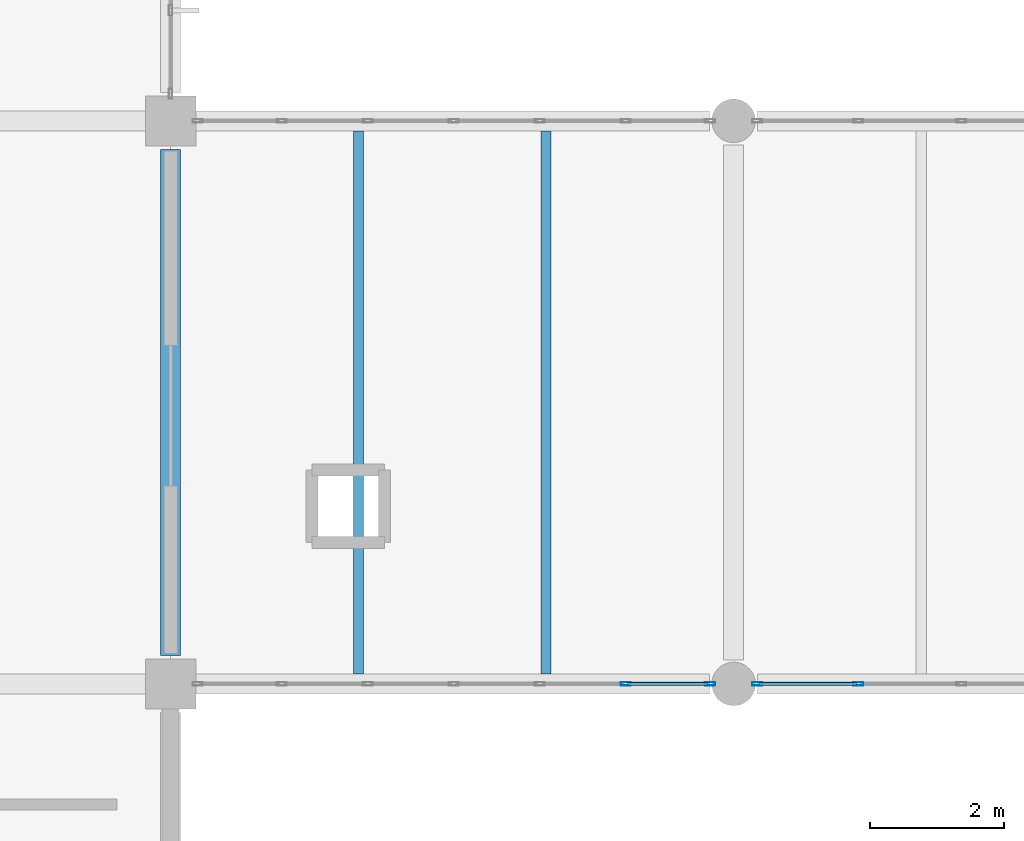
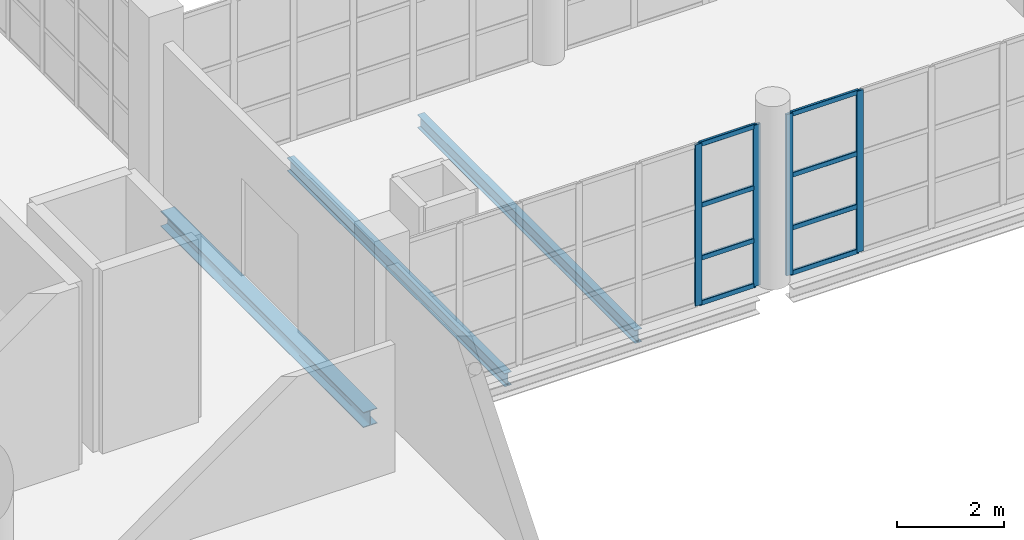
# One storey, part 64 of 177: 12 members, 3 beams, 2 elements without a shape of their own.
"""IFC4 building model written with IfcOpenShell, lengths in metres."""

import ifcopenshell
import ifcopenshell.guid

model = None  # the IFC model being written
_history = None  # IfcOwnerHistory: only IFC2X3 demands one
_inside = {}  # id of a spatial element -> (the spatial element, [elements in it])
_under = {}  # id of a project, library or spatial element -> (it, [spatial elements below it])
_declared = {}  # id of a project -> (the project, [libraries it declares])
_typed = {}  # id of a type object -> (the type object, [elements of that type])
_made_of = {}  # id of a material, layer set ... -> (it, [elements and type objects made of it])


def new_model(schema):
    """Start an empty IFC model of exactly this schema.

    Asked for "IFC4X3", IfcOpenShell would pick the latest addendum, in which some entities
    have other attributes; the version numbers below select the first issue.
    IFC2X3 requires an IfcOwnerHistory on every rooted entity: one is made here for all.
    """
    global model, _history
    if schema == "IFC4X3":
        model = ifcopenshell.file(schema_version=(4, 3, 0, 0))
    else:
        model = ifcopenshell.file(schema=schema)
    _inside.clear()
    _under.clear()
    _declared.clear()
    _typed.clear()
    _made_of.clear()
    _history = None
    if model.schema == "IFC2X3":
        org = make("IfcOrganization", Name="unknown")
        user = make(
            "IfcPersonAndOrganization",
            ThePerson=make("IfcPerson", FamilyName="unknown"),
            TheOrganization=org,
        )
        app = make(
            "IfcApplication",
            ApplicationDeveloper=org,
            Version="unknown",
            ApplicationFullName="unknown",
            ApplicationIdentifier="unknown",
        )
        _history = make(
            "IfcOwnerHistory",
            OwningUser=user,
            OwningApplication=app,
            ChangeAction="ADDED",
            CreationDate=0,
        )
    return model


def make(cls, **values):
    """One entity of the class cls with the attributes given. An attribute that is None is left unset."""
    return model.create_entity(
        cls, **{name: value for name, value in values.items() if value is not None}
    )


def rooted(cls, **values):
    """An entity with a GlobalId (a new one), such as an element, a storey or a relation."""
    return make(cls, GlobalId=ifcopenshell.guid.new(), OwnerHistory=_history, **values)


def si_unit(unit_type, name, prefix=None):
    """IfcSIUnit, for example si_unit("LENGTHUNIT", "METRE", prefix="MILLI")."""
    return make("IfcSIUnit", UnitType=unit_type, Prefix=prefix, Name=name)


def assignment(units):
    """IfcUnitAssignment: the units of a project."""
    return None if units is None else make("IfcUnitAssignment", Units=units)


def point(xyz):
    """IfcCartesianPoint."""
    return None if xyz is None else make("IfcCartesianPoint", Coordinates=xyz)


def direction(xyz):
    """IfcDirection."""
    return None if xyz is None else make("IfcDirection", DirectionRatios=xyz)


def frame(location, z_axis=None, x_axis=None):
    """IfcAxis2Placement3D, a coordinate frame: its origin and axes. An axis left out is left unset."""
    return make(
        "IfcAxis2Placement3D",
        Location=point(location),
        Axis=direction(z_axis),
        RefDirection=direction(x_axis),
    )


def frame_2d(location, x_axis=None):
    """IfcAxis2Placement2D, a coordinate frame in the plane: its origin and x axis."""
    return make(
        "IfcAxis2Placement2D", Location=point(location), RefDirection=direction(x_axis)
    )


def origin():
    """The frame at (0, 0, 0) with its axes left unset."""
    return frame((0.0, 0.0, 0.0))


def origin_2d():
    """The frame at (0, 0) in the plane with its x axis left unset."""
    return frame_2d((0.0, 0.0))


def place(relative_to, where):
    """IfcLocalPlacement: puts the frame where relative to a parent placement (None: the world)."""
    return make(
        "IfcLocalPlacement", PlacementRelTo=relative_to, RelativePlacement=where
    )


def context(
    kind, dimensions, precision=None, world=None, true_north=None, identifier=None
):
    """IfcGeometricRepresentationContext, for example the 3D "Model" context."""
    return make(
        "IfcGeometricRepresentationContext",
        ContextIdentifier=identifier,
        ContextType=kind,
        CoordinateSpaceDimension=dimensions,
        Precision=precision,
        WorldCoordinateSystem=world,
        TrueNorth=true_north,
    )


def subcontext(parent, identifier, kind, view, scale=None):
    """IfcGeometricRepresentationSubContext, for example "Body" below "Model"."""
    return make(
        "IfcGeometricRepresentationSubContext",
        ContextIdentifier=identifier,
        ContextType=kind,
        ParentContext=parent,
        TargetScale=scale,
        TargetView=view,
    )


def project(units=None, contexts=None):
    """IfcProject with its units and contexts."""
    return rooted(
        "IfcProject",
        Name="project",
        RepresentationContexts=contexts,
        UnitsInContext=assignment(units),
    )


def spatial(cls, under=None, at=None, **own):
    """A site, building, storey or space (cls), placed at a placement, below another one or the project."""
    s = rooted(cls, ObjectPlacement=at, **own)
    if under is not None:
        _under.setdefault(under.id(), (under, []))[1].append(s)
    return s


def profile(cls, at=None, kind="AREA", **sizes):
    """A parametric profile (cls). Its sizes go by their IFC names, for example OverallWidth=200.0."""
    return make(cls, ProfileType=kind, Position=at, **sizes)


def hollow_rectangle(**sizes):
    """IfcRectangleHollowProfileDef."""
    return profile("IfcRectangleHollowProfileDef", **sizes)


def i_section(**sizes):
    """IfcIShapeProfileDef."""
    return profile("IfcIShapeProfileDef", **sizes)


def extrude(swept, where, along, depth):
    """IfcExtrudedAreaSolid: the profile swept, set in the frame where, extruded along a direction by depth."""
    return make(
        "IfcExtrudedAreaSolid",
        SweptArea=swept,
        Position=where,
        ExtrudedDirection=direction(along),
        Depth=depth,
    )


def shape(context_of_items, identifier, shape_type, items):
    """IfcShapeRepresentation: the items that make up one representation, for example the "Body"."""
    return make(
        "IfcShapeRepresentation",
        ContextOfItems=context_of_items,
        RepresentationIdentifier=identifier,
        RepresentationType=shape_type,
        Items=items,
    )


def material(Name=None, Category=None):
    """IfcMaterial."""
    return make("IfcMaterial", Name=Name, Category=Category)


def layer(
    of_material, thickness, ventilated=None, Name=None, Category=None, Priority=None
):
    """IfcMaterialLayer: one layer of a wall or slab, of a material (None: an air gap)."""
    return make(
        "IfcMaterialLayer",
        Material=of_material,
        LayerThickness=thickness,
        IsVentilated=ventilated,
        Name=Name,
        Category=Category,
        Priority=Priority,
    )


def layer_set(layers, Name=None):
    """IfcMaterialLayerSet."""
    return make("IfcMaterialLayerSet", MaterialLayers=layers, LayerSetName=Name)


def material_profile(
    of_material, cross_section, Name=None, Category=None, Priority=None
):
    """IfcMaterialProfile: a cross section and its material."""
    return make(
        "IfcMaterialProfile",
        Name=Name,
        Material=of_material,
        Profile=cross_section,
        Priority=Priority,
        Category=Category,
    )


def profile_set(profiles, Name=None, composite=None):
    """IfcMaterialProfileSet."""
    return make(
        "IfcMaterialProfileSet",
        Name=Name,
        MaterialProfiles=profiles,
        CompositeProfile=composite,
    )


def made_of(thing, what):
    """Note that an element or type object is made of a material, layer set ...; save() writes the relation."""
    if what is not None:
        _made_of.setdefault(what.id(), (what, []))[1].append(thing)
    return thing


def type_object(cls, material=None, **own):
    """A type object (cls), such as IfcWallType, which elements share."""
    return made_of(rooted(cls, **own), material)


def element(
    cls,
    number,
    at=None,
    inside=None,
    cuts=None,
    type_object=None,
    material=None,
    context=None,
    identifier="Body",
    shape_type=None,
    held_by="IfcProductDefinitionShape",
    body=None,
    shapes=None,
    **own,
):
    """One element of the class cls, such as IfcWall. Its Tag is "e" and its number.

    at: its placement. inside: the storey or other place that contains it. cuts: it is an
    opening in that element (IfcRelVoidsElement). A single representation is given by context,
    identifier, shape_type and body (its items); several are given by shapes. held_by: the class
    of the entity that holds the representations. save() writes the other relations.
    """
    e = rooted(cls, Tag="e%d" % number, ObjectPlacement=at, **own)
    if body is not None:
        shapes = [shape(context, identifier, shape_type, body)]
    if shapes is not None:
        e.Representation = make(held_by, Representations=shapes)
    if inside is not None:
        _inside.setdefault(inside.id(), (inside, []))[1].append(e)
    if cuts is not None:
        rooted(
            "IfcRelVoidsElement", RelatingBuildingElement=cuts, RelatedOpeningElement=e
        )
    if type_object is not None:
        _typed.setdefault(type_object.id(), (type_object, []))[1].append(e)
    return made_of(e, material)


def aggregate(whole, parts):
    """IfcRelAggregates: a whole, such as a stair, and the parts it consists of."""
    return rooted("IfcRelAggregates", RelatingObject=whole, RelatedObjects=parts)


def save(model, path):
    """Write the relations noted so far, then the file.

    IfcRelAggregates (storeys below a building ...), IfcRelContainedInSpatialStructure (elements
    in a storey), IfcRelDefinesByType, IfcRelAssociatesMaterial and IfcRelDeclares: one each for
    every whole, place, type object, material and project.
    """
    for whole, parts in _under.values():
        aggregate(whole, parts)
    for where, things in _inside.values():
        rooted(
            "IfcRelContainedInSpatialStructure",
            RelatedElements=things,
            RelatingStructure=where,
        )
    for kind, things in _typed.values():
        rooted("IfcRelDefinesByType", RelatedObjects=things, RelatingType=kind)
    for what, things in _made_of.values():
        rooted("IfcRelAssociatesMaterial", RelatedObjects=things, RelatingMaterial=what)
    for by, libraries in _declared.values():
        rooted("IfcRelDeclares", RelatingContext=by, RelatedDefinitions=libraries)
    model.write(path)


model = new_model("IFC4")

# Units and contexts
model_context = context("Model", 3, precision=1e-05, world=origin(), true_north=direction((0.0, 1.0)))
body_context = subcontext(model_context, "Body", "Model", "MODEL_VIEW")
ifc_project = project(units=[si_unit("LENGTHUNIT", "METRE"), si_unit("AREAUNIT", "SQUARE_METRE"), si_unit("VOLUMEUNIT", "CUBIC_METRE"), si_unit("PLANEANGLEUNIT", "RADIAN"), si_unit("MASSUNIT", "GRAM", prefix="KILO"), si_unit("THERMODYNAMICTEMPERATUREUNIT", "KELVIN"), si_unit("POWERUNIT", "WATT")], contexts=[model_context])

# Site, building, storey
site_placement = place(None, origin())
site = spatial("IfcSite", under=ifc_project, at=site_placement, CompositionType="ELEMENT")
building_placement = place(site_placement, origin())
building = spatial("IfcBuilding", under=site, at=building_placement, Name="Mavoryth Pier Ferry Terminal", CompositionType="ELEMENT")
storey_placement = place(building_placement, frame((0.0, 0.0, 5.43994140625)))
storey = spatial("IfcBuildingStorey", under=building, at=storey_placement, Name="L01", CompositionType="ELEMENT", Elevation=5.43994140625)

# Beams
ifc_material_1 = material(Name="Steel S355J2", Category="steel")
ifc_material_profile_1 = material_profile(ifc_material_1, i_section(OverallWidth=0.14990234375, OverallDepth=0.300048828125, WebThickness=0.007080078125, FlangeThickness=0.0107421875, FilletRadius=0.014892578125, at=origin_2d()), Name="IPE 300", Category="steel")
ifc_profile_set_1 = profile_set([ifc_material_profile_1], Name="Steel S355J2 - IPE 300")
beam_type_1 = type_object("IfcBeamType", Name="Joist-Steel-IPE300", PredefinedType="JOIST", material=ifc_profile_set_1)
for number, where, z_axis, x_axis, name in (
    (1, (36.39990234375, 89.35009765625, -0.389892578125), (0.0, 1.0, 0.0), (-1.0, 0.0, 0.0), "Beam B01-SJ04-0155"),
    (2, (39.199951171875, 89.35009765625, -0.389892578125), (0.0, 1.0, 0.0), (-1.0, 0.0, 0.0), "Beam B01-SJ04-0156"),
):
    element("IfcBeam", number, at=place(storey_placement, frame(where, z_axis=z_axis, x_axis=x_axis)), inside=storey, type_object=beam_type_1, Name=name, PredefinedType="JOIST", context=body_context, shape_type="SweptSolid", body=[
        extrude(i_section(OverallWidth=0.14990234375, OverallDepth=0.300048828125, WebThickness=0.007080078125, FlangeThickness=0.0107421875, FilletRadius=0.014892578125, at=origin_2d()), origin(), (0.0, 0.0, 1.0), 8.099853515625),
    ])

# Curtain wall, members
ifc_material_2 = material(Name="Anodised Aluminium and Solar-Control Low-E Glass", Category="aluminium")
ifc_layer = layer(ifc_material_2, 0.1201171875, Name="Anodised Aluminium and Solar-Control Low-E Glass", Category="aluminium")
ifc_layer_set = layer_set([ifc_layer], Name="Anodised Aluminium and Solar-Control Low-E Glass - CW-BridgeLink-Mod1400")
curtain_wall_type = type_object("IfcCurtainWallType", Name="CW-BridgeLink-Mod1400", PredefinedType="USERDEFINED", material=ifc_layer_set)
curtain_wall_1_placement = place(storey_placement, origin())
curtain_wall_1 = element("IfcCurtainWall", 3, at=curtain_wall_1_placement, inside=storey, type_object=curtain_wall_type, Name="Curtain Wall CW-0111-098", ObjectType="UNITISED CURTAIN WALL", PredefinedType="USERDEFINED")
ifc_material_3 = material(Name="Anodised Aluminium EN AW-6063", Category="aluminium")
ifc_material_profile_2 = material_profile(ifc_material_3, hollow_rectangle(XDim=0.054931640625, YDim=0.14990234375, WallThickness=0.00390625, InnerFilletRadius=0.00390625, OuterFilletRadius=0.008056640625, at=origin_2d()), Name="AL-MULL 150x55x4", Category="aluminium")
ifc_profile_set_2 = profile_set([ifc_material_profile_2], Name="Anodised Aluminium EN AW-6063 - AL-MULL 150x55x4")
member_type_1 = type_object("IfcMemberType", Name="Mullion-Alum-150x55", PredefinedType="MULLION", material=ifc_profile_set_2)
member_1_placement = place(storey_placement, frame((40.3916015625, 89.199951171875, 0.0), z_axis=(0.0, 0.0, 1.0), x_axis=(0.0, 1.0, 0.0)))
member_1 = element("IfcMember", 4, at=member_1_placement, type_object=member_type_1, Name="CW08 mullion 6", PredefinedType="MULLION", context=body_context, shape_type="SweptSolid", body=[
    extrude(hollow_rectangle(XDim=0.054931640625, YDim=0.14990234375, WallThickness=0.00390625, InnerFilletRadius=0.00390625, OuterFilletRadius=0.008056640625, at=origin_2d()), origin(), (0.0, 0.0, 1.0), 3.6650390625),
])
member_2_placement = place(storey_placement, frame((41.6474609375, 89.199951171875, 0.0), z_axis=(0.0, 0.0, 1.0), x_axis=(0.0, 1.0, 0.0)))
member_2 = element("IfcMember", 5, at=member_2_placement, type_object=member_type_1, Name="CW08 mullion 7", PredefinedType="MULLION", context=body_context, shape_type="SweptSolid", body=[
    extrude(hollow_rectangle(XDim=0.054931640625, YDim=0.14990234375, WallThickness=0.00390625, InnerFilletRadius=0.00390625, OuterFilletRadius=0.008056640625, at=origin_2d()), origin(), (0.0, 0.0, 1.0), 3.6650390625),
])

curtain_wall_2_placement = place(storey_placement, origin())
curtain_wall_2 = element("IfcCurtainWall", 6, at=curtain_wall_2_placement, inside=storey, type_object=curtain_wall_type, Name="Curtain Wall CW-0111-100", ObjectType="UNITISED CURTAIN WALL", PredefinedType="USERDEFINED")
member_3_placement = place(storey_placement, frame((42.3525390625, 89.199951171875, 0.0), z_axis=(0.0, 0.0, 1.0), x_axis=(0.0, 1.0, 0.0)))
member_3 = element("IfcMember", 7, at=member_3_placement, type_object=member_type_1, Name="CW08 mullion 1", PredefinedType="MULLION", context=body_context, shape_type="SweptSolid", body=[
    extrude(hollow_rectangle(XDim=0.054931640625, YDim=0.14990234375, WallThickness=0.00390625, InnerFilletRadius=0.00390625, OuterFilletRadius=0.008056640625, at=origin_2d()), origin(), (0.0, 0.0, 1.0), 3.6650390625),
])
member_4_placement = place(storey_placement, frame((43.862060546875, 89.199951171875, 0.0), z_axis=(0.0, 0.0, 1.0), x_axis=(0.0, 1.0, 0.0)))
member_4 = element("IfcMember", 8, at=member_4_placement, type_object=member_type_1, Name="CW08 mullion 2", PredefinedType="MULLION", context=body_context, shape_type="SweptSolid", body=[
    extrude(hollow_rectangle(XDim=0.054931640625, YDim=0.14990234375, WallThickness=0.00390625, InnerFilletRadius=0.00390625, OuterFilletRadius=0.008056640625, at=origin_2d()), origin(), (0.0, 0.0, 1.0), 3.6650390625),
])

# Beam
ifc_material_profile_3 = material_profile(ifc_material_1, i_section(OverallWidth=0.300048828125, OverallDepth=0.35009765625, WebThickness=0.010009765625, FlangeThickness=0.017578125, FilletRadius=0.027099609375, at=origin_2d()), Name="HEA 360", Category="steel")
ifc_profile_set_3 = profile_set([ifc_material_profile_3], Name="Steel S355J2 - HEA 360")
beam_type_2 = type_object("IfcBeamType", Name="Spandrel-Steel-HEA360", PredefinedType="SPANDREL", material=ifc_profile_set_3)
beam_placement = place(storey_placement, frame((33.60009765625, 89.625, -0.454833984375), z_axis=(0.0, 1.0, 0.0), x_axis=(-1.0, 0.0, 0.0)))
element("IfcBeam", 9, at=beam_placement, inside=storey, type_object=beam_type_2, Name="Beam B01-SP03-0109", PredefinedType="SPANDREL", context=body_context, shape_type="SweptSolid", body=[
    extrude(i_section(OverallWidth=0.300048828125, OverallDepth=0.35009765625, WebThickness=0.010009765625, FlangeThickness=0.017578125, FilletRadius=0.027099609375, at=origin_2d()), origin(), (0.0, 0.0, 1.0), 7.550048828125),
])

# Member
ifc_material_profile_4 = material_profile(ifc_material_3, hollow_rectangle(XDim=0.054931640625, YDim=0.110107421875, WallThickness=0.00390625, InnerFilletRadius=0.00390625, OuterFilletRadius=0.008056640625, at=origin_2d()), Name="AL-TRAN 110x55x4", Category="aluminium")
ifc_profile_set_4 = profile_set([ifc_material_profile_4], Name="Anodised Aluminium EN AW-6063 - AL-TRAN 110x55x4")
member_type_2 = type_object("IfcMemberType", Name="Transom-Alum-110x55", PredefinedType="USERDEFINED", material=ifc_profile_set_4)
member_5_placement = place(storey_placement, frame((40.419189453125, 89.199951171875, 0.027587890625), z_axis=(1.0, 0.0, 0.0), x_axis=(0.0, 1.0, 0.0)))
member_5 = element("IfcMember", 10, at=member_5_placement, type_object=member_type_2, Name="CW08 transom 6.1", ObjectType="TRANSOM", PredefinedType="USERDEFINED", context=body_context, shape_type="SweptSolid", body=[
    extrude(hollow_rectangle(XDim=0.054931640625, YDim=0.110107421875, WallThickness=0.00390625, InnerFilletRadius=0.00390625, OuterFilletRadius=0.008056640625, at=origin_2d()), origin(), (0.0, 0.0, 1.0), 1.200927734375),
])

member_6_placement = place(storey_placement, frame((40.419189453125, 89.199951171875, 1.050048828125), z_axis=(1.0, 0.0, 0.0), x_axis=(0.0, 1.0, 0.0)))
member_6 = element("IfcMember", 11, at=member_6_placement, type_object=member_type_2, Name="CW08 transom 6.2", ObjectType="TRANSOM", PredefinedType="USERDEFINED", context=body_context, shape_type="SweptSolid", body=[
    extrude(hollow_rectangle(XDim=0.054931640625, YDim=0.110107421875, WallThickness=0.00390625, InnerFilletRadius=0.00390625, OuterFilletRadius=0.008056640625, at=origin_2d()), origin(), (0.0, 0.0, 1.0), 1.200927734375),
])

member_7_placement = place(storey_placement, frame((40.419189453125, 89.199951171875, 2.25), z_axis=(1.0, 0.0, 0.0), x_axis=(0.0, 1.0, 0.0)))
member_7 = element("IfcMember", 12, at=member_7_placement, type_object=member_type_2, Name="CW08 transom 6.3", ObjectType="TRANSOM", PredefinedType="USERDEFINED", context=body_context, shape_type="SweptSolid", body=[
    extrude(hollow_rectangle(XDim=0.054931640625, YDim=0.110107421875, WallThickness=0.00390625, InnerFilletRadius=0.00390625, OuterFilletRadius=0.008056640625, at=origin_2d()), origin(), (0.0, 0.0, 1.0), 1.200927734375),
])

member_8_placement = place(storey_placement, frame((40.419189453125, 89.199951171875, 3.637451171875), z_axis=(1.0, 0.0, 0.0), x_axis=(0.0, 1.0, 0.0)))
member_8 = element("IfcMember", 13, at=member_8_placement, type_object=member_type_2, Name="CW08 transom 6.4", ObjectType="TRANSOM", PredefinedType="USERDEFINED", context=body_context, shape_type="SweptSolid", body=[
    extrude(hollow_rectangle(XDim=0.054931640625, YDim=0.110107421875, WallThickness=0.00390625, InnerFilletRadius=0.00390625, OuterFilletRadius=0.008056640625, at=origin_2d()), origin(), (0.0, 0.0, 1.0), 1.200927734375),
])

aggregate(curtain_wall_1, [member_1, member_2, member_5, member_6, member_7, member_8])

member_9_placement = place(storey_placement, frame((42.3798828125, 89.199951171875, 0.027587890625), z_axis=(1.0, 0.0, 0.0), x_axis=(0.0, 1.0, 0.0)))
member_9 = element("IfcMember", 14, at=member_9_placement, type_object=member_type_2, Name="CW08 transom 1.1", ObjectType="TRANSOM", PredefinedType="USERDEFINED", context=body_context, shape_type="SweptSolid", body=[
    extrude(hollow_rectangle(XDim=0.054931640625, YDim=0.110107421875, WallThickness=0.00390625, InnerFilletRadius=0.00390625, OuterFilletRadius=0.008056640625, at=origin_2d()), origin(), (0.0, 0.0, 1.0), 1.45458984375),
])

member_10_placement = place(storey_placement, frame((42.3798828125, 89.199951171875, 1.050048828125), z_axis=(1.0, 0.0, 0.0), x_axis=(0.0, 1.0, 0.0)))
member_10 = element("IfcMember", 15, at=member_10_placement, type_object=member_type_2, Name="CW08 transom 1.2", ObjectType="TRANSOM", PredefinedType="USERDEFINED", context=body_context, shape_type="SweptSolid", body=[
    extrude(hollow_rectangle(XDim=0.054931640625, YDim=0.110107421875, WallThickness=0.00390625, InnerFilletRadius=0.00390625, OuterFilletRadius=0.008056640625, at=origin_2d()), origin(), (0.0, 0.0, 1.0), 1.45458984375),
])

member_11_placement = place(storey_placement, frame((42.3798828125, 89.199951171875, 2.25), z_axis=(1.0, 0.0, 0.0), x_axis=(0.0, 1.0, 0.0)))
member_11 = element("IfcMember", 16, at=member_11_placement, type_object=member_type_2, Name="CW08 transom 1.3", ObjectType="TRANSOM", PredefinedType="USERDEFINED", context=body_context, shape_type="SweptSolid", body=[
    extrude(hollow_rectangle(XDim=0.054931640625, YDim=0.110107421875, WallThickness=0.00390625, InnerFilletRadius=0.00390625, OuterFilletRadius=0.008056640625, at=origin_2d()), origin(), (0.0, 0.0, 1.0), 1.45458984375),
])

member_12_placement = place(storey_placement, frame((42.3798828125, 89.199951171875, 3.637451171875), z_axis=(1.0, 0.0, 0.0), x_axis=(0.0, 1.0, 0.0)))
member_12 = element("IfcMember", 17, at=member_12_placement, type_object=member_type_2, Name="CW08 transom 1.4", ObjectType="TRANSOM", PredefinedType="USERDEFINED", context=body_context, shape_type="SweptSolid", body=[
    extrude(hollow_rectangle(XDim=0.054931640625, YDim=0.110107421875, WallThickness=0.00390625, InnerFilletRadius=0.00390625, OuterFilletRadius=0.008056640625, at=origin_2d()), origin(), (0.0, 0.0, 1.0), 1.45458984375),
])

aggregate(curtain_wall_2, [member_3, member_4, member_9, member_10, member_11, member_12])

save(model, "model.ifc")
